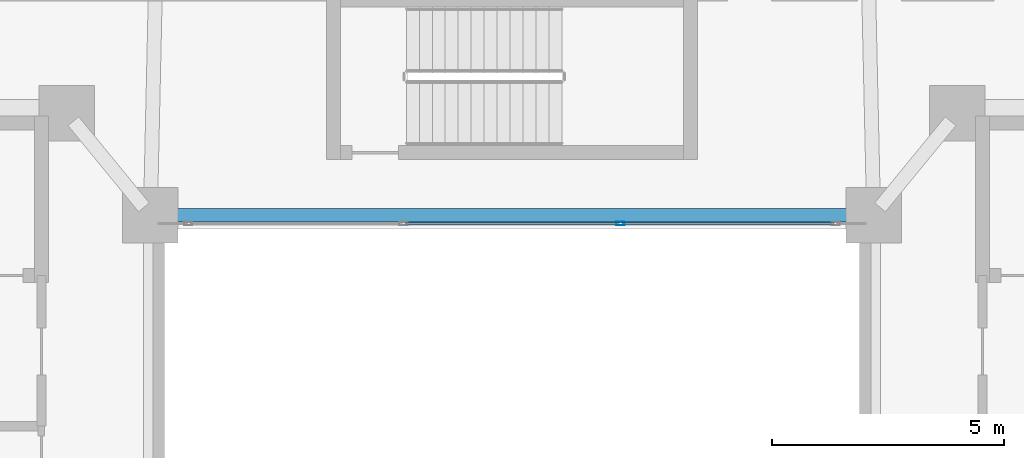
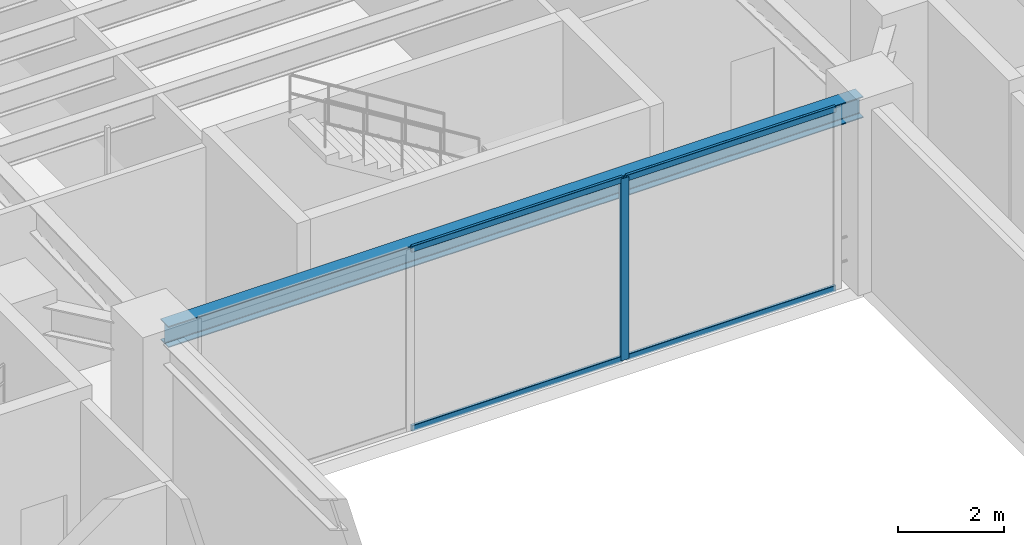
# One storey, part 12 of 37: 5 members, 1 beam, 1 element without a shape of its own.
"""IFC4 building model written with IfcOpenShell, lengths in metres."""

from ifc_helpers import new_model, si_unit, direction, frame, origin, origin_2d, place, context, subcontext, project, spatial, hollow_rectangle, i_section, extrude, material, layer, layer_set, material_profile, profile_set, type_object, element, aggregate, save


model = new_model("IFC4")

# Units and contexts
model_context = context("Model", 3, precision=1e-05, world=origin(), true_north=direction((0.0, 1.0)))
body_context = subcontext(model_context, "Body", "Model", "MODEL_VIEW")
ifc_project = project(units=[si_unit("LENGTHUNIT", "METRE"), si_unit("AREAUNIT", "SQUARE_METRE"), si_unit("VOLUMEUNIT", "CUBIC_METRE"), si_unit("PLANEANGLEUNIT", "RADIAN"), si_unit("MASSUNIT", "GRAM", prefix="KILO")], contexts=[model_context])

# Site, building, storey
site_placement = place(None, origin())
site = spatial("IfcSite", under=ifc_project, at=site_placement, CompositionType="ELEMENT")
building_placement = place(site_placement, origin())
building = spatial("IfcBuilding", under=site, at=building_placement, Name="Tarnavaz Court Tower", CompositionType="ELEMENT")
storey_placement = place(building_placement, frame((0.0, 0.0, 118.5)))
storey = spatial("IfcBuildingStorey", under=building, at=storey_placement, Name="L32", CompositionType="ELEMENT", Elevation=118.5)

# Beam
ifc_material_1 = material(Name="Steel S355", Category="steel")
ifc_material_profile_1 = material_profile(ifc_material_1, i_section(OverallWidth=0.300048828125, OverallDepth=0.489990234375, WebThickness=0.011962890625, FlangeThickness=0.02294921875, FilletRadius=0.027099609375, at=origin_2d()), Name="HEA 500")
ifc_profile_set_1 = profile_set([ifc_material_profile_1], Name="Steel S355")
beam_type = type_object("IfcBeamType", Name="BM-SP-HEA500", PredefinedType="SPANDREL", material=ifc_profile_set_1)
beam_placement = place(storey_placement, frame((-7.580078125, 7.800048828125, 3.955078125), z_axis=(1.0, 0.0, 0.0), x_axis=(0.0, 1.0, 0.0)))
element("IfcBeam", 1, at=beam_placement, inside=storey, type_object=beam_type, Name="L32 Beam IN-IW-NW-IW-NE", PredefinedType="SPANDREL", context=body_context, shape_type="SweptSolid", body=[
    extrude(i_section(OverallWidth=0.300048828125, OverallDepth=0.489990234375, WebThickness=0.011962890625, FlangeThickness=0.02294921875, FilletRadius=0.027099609375, at=origin_2d()), origin(), (0.0, 0.0, 1.0), 15.16015625),
])

# Curtain wall, members
ifc_material_2 = material(Name="Anodised Aluminium 6063-T6 and Solar Low-E Glazing", Category="aluminium")
ifc_layer = layer(ifc_material_2, 0.139892578125)
ifc_layer_set = layer_set([ifc_layer], Name="Anodised Aluminium 6063-T6 and Solar Low-E Glazing")
curtain_wall_type = type_object("IfcCurtainWallType", Name="CW-SYS-04", PredefinedType="NOTDEFINED", material=ifc_layer_set)
curtain_wall_placement = place(storey_placement, origin())
curtain_wall = element("IfcCurtainWall", 2, at=curtain_wall_placement, inside=storey, type_object=curtain_wall_type, Name="L32 Badgir Courtyard Curtain Wall N", PredefinedType="NOTDEFINED")
ifc_material_3 = material(Name="Anodised Aluminium 6063-T6", Category="aluminium")
ifc_material_profile_2 = material_profile(ifc_material_3, hollow_rectangle(XDim=0.074951171875, YDim=0.179931640625, WallThickness=0.0048828125, InnerFilletRadius=0.0048828125, OuterFilletRadius=0.010009765625, at=origin_2d()), Name="ALU RHS 180X75X5")
ifc_profile_set_2 = profile_set([ifc_material_profile_2], Name="Anodised Aluminium 6063-T6")
member_type_1 = type_object("IfcMemberType", Name="CW-MUL-180", PredefinedType="MULLION", material=ifc_profile_set_2)
member_1_placement = place(storey_placement, frame((2.340087890625, 7.6201171875, 0.0), z_axis=(0.0, 0.0, 1.0), x_axis=(0.0, -1.0, 0.0)))
member_1 = element("IfcMember", 3, at=member_1_placement, type_object=member_type_1, Name="CW mullion 2", PredefinedType="MULLION", context=body_context, shape_type="SweptSolid", body=[
    extrude(hollow_rectangle(XDim=0.074951171875, YDim=0.179931640625, WallThickness=0.0048828125, InnerFilletRadius=0.0048828125, OuterFilletRadius=0.010009765625, at=origin_2d()), origin(), (0.0, 0.0, 1.0), 4.199951171875),
])
ifc_material_profile_3 = material_profile(ifc_material_3, hollow_rectangle(XDim=0.06494140625, YDim=0.139892578125, WallThickness=0.00390625, InnerFilletRadius=0.00390625, OuterFilletRadius=0.008056640625, at=origin_2d()), Name="ALU RHS 140X65X4")
ifc_profile_set_3 = profile_set([ifc_material_profile_3], Name="Anodised Aluminium 6063-T6")
member_type_2 = type_object("IfcMemberType", Name="CW-TRN-140", PredefinedType="USERDEFINED", material=ifc_profile_set_3)
member_2_placement = place(storey_placement, frame((6.945068359375, 7.6201171875, 0.032470703125), z_axis=(-1.0, 0.0, 0.0), x_axis=(0.0, -1.0, 0.0)))
member_2 = element("IfcMember", 4, at=member_2_placement, type_object=member_type_2, Name="CW transom 1.1", ObjectType="TRANSOM", PredefinedType="USERDEFINED", context=body_context, shape_type="SweptSolid", body=[
    extrude(hollow_rectangle(XDim=0.06494140625, YDim=0.139892578125, WallThickness=0.00390625, InnerFilletRadius=0.00390625, OuterFilletRadius=0.008056640625, at=origin_2d()), origin(), (0.0, 0.0, 1.0), 4.567626953125),
])
member_3_placement = place(storey_placement, frame((6.945068359375, 7.6201171875, 4.16748046875), z_axis=(-1.0, 0.0, 0.0), x_axis=(0.0, -1.0, 0.0)))
member_3 = element("IfcMember", 5, at=member_3_placement, type_object=member_type_2, Name="CW transom 1.2", ObjectType="TRANSOM", PredefinedType="USERDEFINED", context=body_context, shape_type="SweptSolid", body=[
    extrude(hollow_rectangle(XDim=0.06494140625, YDim=0.139892578125, WallThickness=0.00390625, InnerFilletRadius=0.00390625, OuterFilletRadius=0.008056640625, at=origin_2d()), origin(), (0.0, 0.0, 1.0), 4.567626953125),
])
member_4_placement = place(storey_placement, frame((2.302490234375, 7.6201171875, 0.032470703125), z_axis=(-1.0, 0.0, 0.0), x_axis=(0.0, -1.0, 0.0)))
member_4 = element("IfcMember", 6, at=member_4_placement, type_object=member_type_2, Name="CW transom 2.1", ObjectType="TRANSOM", PredefinedType="USERDEFINED", context=body_context, shape_type="SweptSolid", body=[
    extrude(hollow_rectangle(XDim=0.06494140625, YDim=0.139892578125, WallThickness=0.00390625, InnerFilletRadius=0.00390625, OuterFilletRadius=0.008056640625, at=origin_2d()), origin(), (0.0, 0.0, 1.0), 4.60498046875),
])
member_5_placement = place(storey_placement, frame((2.302490234375, 7.6201171875, 4.16748046875), z_axis=(-1.0, 0.0, 0.0), x_axis=(0.0, -1.0, 0.0)))
member_5 = element("IfcMember", 7, at=member_5_placement, type_object=member_type_2, Name="CW transom 2.2", ObjectType="TRANSOM", PredefinedType="USERDEFINED", context=body_context, shape_type="SweptSolid", body=[
    extrude(hollow_rectangle(XDim=0.06494140625, YDim=0.139892578125, WallThickness=0.00390625, InnerFilletRadius=0.00390625, OuterFilletRadius=0.008056640625, at=origin_2d()), origin(), (0.0, 0.0, 1.0), 4.60498046875),
])
aggregate(curtain_wall, [member_1, member_2, member_3, member_4, member_5])

save(model, "model.ifc")
